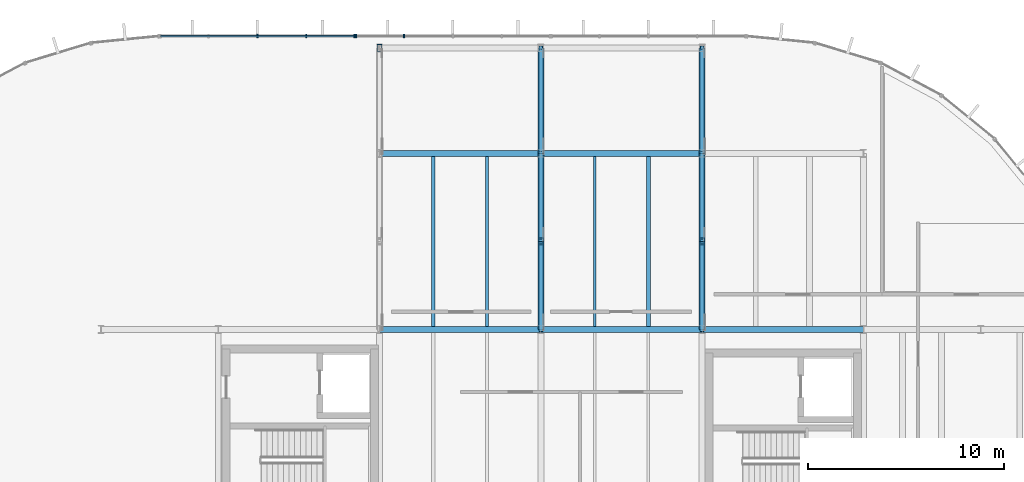
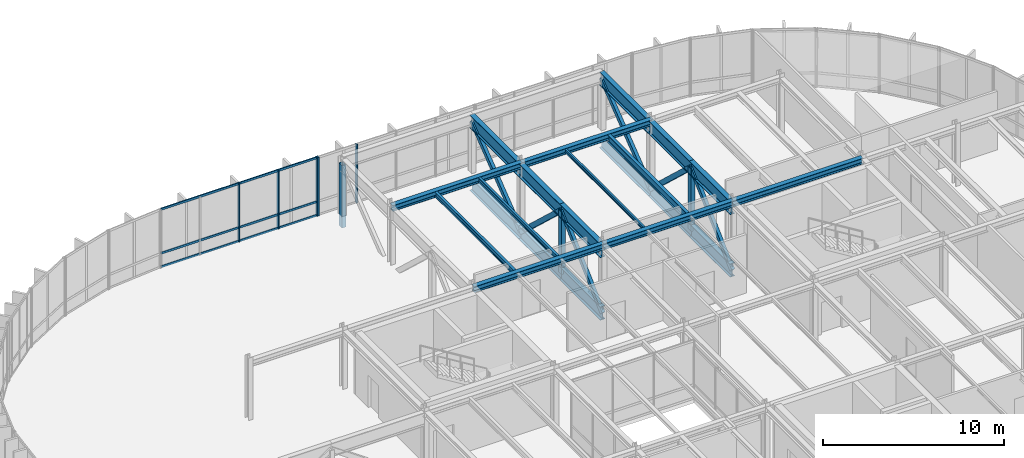
# One storey, part 12 of 29: 21 beams, 17 members, 2 elements without a shape of their own.
"""IFC4 building model written with IfcOpenShell, lengths in metres."""

from ifc_helpers import new_model, si_unit, direction, frame, origin, origin_2d, place, context, subcontext, project, spatial, rectangle, hollow_rectangle, i_section, extrude, material, layer, layer_set, material_profile, profile_set, type_object, element, aggregate, save


model = new_model("IFC4")

# Units and contexts
model_context = context("Model", 3, precision=1e-05, world=origin(), true_north=direction((0.0, 1.0)))
body_context = subcontext(model_context, "Body", "Model", "MODEL_VIEW")
ifc_project = project(units=[si_unit("LENGTHUNIT", "METRE"), si_unit("AREAUNIT", "SQUARE_METRE"), si_unit("VOLUMEUNIT", "CUBIC_METRE"), si_unit("PLANEANGLEUNIT", "RADIAN"), si_unit("MASSUNIT", "GRAM", prefix="KILO")], contexts=[model_context])

# Site, building, storey
site_placement = place(None, origin())
site = spatial("IfcSite", under=ifc_project, at=site_placement, CompositionType="ELEMENT")
building_placement = place(site_placement, origin())
building = spatial("IfcBuilding", under=site, at=building_placement, Name="Montealbar Specialist Clinic", CompositionType="ELEMENT")
storey_placement = place(building_placement, frame((0.0, 0.0, 22.199951171875)))
storey = spatial("IfcBuildingStorey", under=building, at=storey_placement, Name="L05", CompositionType="ELEMENT", Elevation=22.199951171875)

# Beams
ifc_material_1 = material(Name="Steel S355", Category="steel")
ifc_material_profile_1 = material_profile(ifc_material_1, i_section(OverallWidth=0.300048828125, OverallDepth=0.39990234375, WebThickness=0.013427734375, FlangeThickness=0.02392578125, FilletRadius=0.027099609375, at=origin_2d()), Name="HEB 400", Category="steel")
ifc_profile_set_1 = profile_set([ifc_material_profile_1], Name="Steel S355")
beam_type_1 = type_object("IfcBeamType", Name="BM-GIRD-HEB400", PredefinedType="BEAM", material=ifc_profile_set_1)
for number, where, z_axis, x_axis, name in (
    (1, (74.25, 36.0, 3.739990234375), (1.0, 0.0, 0.0), (0.0, 1.0, 0.0), "Beam GX-L05-742-825-360"),
    (2, (82.5, 36.0, 3.739990234375), (1.0, 0.0, 0.0), (0.0, 1.0, 0.0), "Beam GX-L05-825-908-360"),
    (3, (90.75, 36.0, 3.739990234375), (1.0, 0.0, 0.0), (0.0, 1.0, 0.0), "Beam GX-L05-908-990-360"),
    (4, (74.25, 45.0, 3.739990234375), (1.0, 0.0, 0.0), (0.0, 1.0, 0.0), "Beam GX-L05-742-825-450"),
    (5, (82.5, 45.0, 3.739990234375), (1.0, 0.0, 0.0), (0.0, 1.0, 0.0), "Beam GX-L05-825-908-450"),
):
    element("IfcBeam", number, at=place(storey_placement, frame(where, z_axis=z_axis, x_axis=x_axis)), inside=storey, type_object=beam_type_1, Name=name, PredefinedType="BEAM", context=body_context, shape_type="SweptSolid", body=[
        extrude(i_section(OverallWidth=0.300048828125, OverallDepth=0.39990234375, WebThickness=0.013427734375, FlangeThickness=0.02392578125, FilletRadius=0.027099609375, at=origin_2d()), origin(), (0.0, 0.0, 1.0), 8.25),
    ])
ifc_material_profile_2 = material_profile(ifc_material_1, i_section(OverallWidth=0.1201171875, OverallDepth=0.239990234375, WebThickness=0.006103515625, FlangeThickness=0.009765625, FilletRadius=0.014892578125, at=origin_2d()), Name="IPE 240", Category="steel")
ifc_profile_set_2 = profile_set([ifc_material_profile_2], Name="Steel S355")
beam_type_2 = type_object("IfcBeamType", Name="BM-JST-IPE240", PredefinedType="JOIST", material=ifc_profile_set_2)
beam_1_placement = place(storey_placement, frame((85.25, 36.14990234375, 3.820068359375), z_axis=(0.0, 1.0, 0.0), x_axis=(-1.0, 0.0, 0.0)))
element("IfcBeam", 6, at=beam_1_placement, inside=storey, type_object=beam_type_2, Name="Beam JST-L05-852-362-448", PredefinedType="JOIST", context=body_context, shape_type="SweptSolid", body=[
    extrude(i_section(OverallWidth=0.1201171875, OverallDepth=0.239990234375, WebThickness=0.006103515625, FlangeThickness=0.009765625, FilletRadius=0.014892578125, at=origin_2d()), origin(), (0.0, 0.0, 1.0), 8.7001953125),
])
ifc_material_profile_3 = material_profile(ifc_material_1, i_section(OverallWidth=0.14990234375, OverallDepth=0.300048828125, WebThickness=0.007080078125, FlangeThickness=0.0107421875, FilletRadius=0.014892578125, at=origin_2d()), Name="IPE 300", Category="steel")
ifc_profile_set_3 = profile_set([ifc_material_profile_3], Name="Steel S355")
beam_type_3 = type_object("IfcBeamType", Name="BM-JST-IPE300", PredefinedType="JOIST", material=ifc_profile_set_3)
beam_2_placement = place(storey_placement, frame((79.75, 36.14990234375, 3.7900390625), z_axis=(0.0, 1.0, 0.0), x_axis=(-1.0, 0.0, 0.0)))
element("IfcBeam", 7, at=beam_2_placement, inside=storey, type_object=beam_type_3, Name="Beam JST-L05-798-362-448", PredefinedType="JOIST", context=body_context, shape_type="SweptSolid", body=[
    extrude(i_section(OverallWidth=0.14990234375, OverallDepth=0.300048828125, WebThickness=0.007080078125, FlangeThickness=0.0107421875, FilletRadius=0.014892578125, at=origin_2d()), origin(), (0.0, 0.0, 1.0), 8.7001953125),
])
ifc_material_profile_4 = material_profile(ifc_material_1, i_section(OverallWidth=0.159912109375, OverallDepth=0.330078125, WebThickness=0.007568359375, FlangeThickness=0.011474609375, FilletRadius=0.01806640625, at=origin_2d()), Name="IPE 330", Category="steel")
ifc_profile_set_4 = profile_set([ifc_material_profile_4], Name="Steel S355")
beam_type_4 = type_object("IfcBeamType", Name="BM-JST-IPE330", PredefinedType="JOIST", material=ifc_profile_set_4)
beam_3_placement = place(storey_placement, frame((77.0, 36.14990234375, 3.775146484375), z_axis=(0.0, 1.0, 0.0), x_axis=(-1.0, 0.0, 0.0)))
element("IfcBeam", 8, at=beam_3_placement, inside=storey, type_object=beam_type_4, Name="Beam JST-L05-770-362-448", PredefinedType="JOIST", context=body_context, shape_type="SweptSolid", body=[
    extrude(i_section(OverallWidth=0.159912109375, OverallDepth=0.330078125, WebThickness=0.007568359375, FlangeThickness=0.011474609375, FilletRadius=0.01806640625, at=origin_2d()), origin(), (0.0, 0.0, 1.0), 8.7001953125),
])
ifc_material_profile_5 = material_profile(ifc_material_1, i_section(OverallWidth=0.199951171875, OverallDepth=0.5, WebThickness=0.01025390625, FlangeThickness=0.01611328125, FilletRadius=0.02099609375, at=origin_2d()), Name="IPE 500", Category="steel")
ifc_profile_set_5 = profile_set([ifc_material_profile_5], Name="Steel S355")
beam_type_5 = type_object("IfcBeamType", Name="BM-JST-IPE500", PredefinedType="JOIST", material=ifc_profile_set_5)
beam_4_placement = place(storey_placement, frame((88.0, 36.14990234375, 3.68994140625), z_axis=(0.0, 1.0, 0.0), x_axis=(-1.0, 0.0, 0.0)))
element("IfcBeam", 9, at=beam_4_placement, inside=storey, type_object=beam_type_5, Name="Beam JST-L05-880-362-448", PredefinedType="JOIST", context=body_context, shape_type="SweptSolid", body=[
    extrude(i_section(OverallWidth=0.199951171875, OverallDepth=0.5, WebThickness=0.01025390625, FlangeThickness=0.01611328125, FilletRadius=0.02099609375, at=origin_2d()), origin(), (0.0, 0.0, 1.0), 8.7001953125),
])
ifc_material_profile_6 = material_profile(ifc_material_1, i_section(OverallWidth=0.300048828125, OverallDepth=0.89990234375, WebThickness=0.0185546875, FlangeThickness=0.034912109375, FilletRadius=0.030029296875, at=origin_2d()), Name="HEB 900", Category="steel")
ifc_profile_set_6 = profile_set([ifc_material_profile_6], Name="Steel S355")
beam_type_6 = type_object("IfcBeamType", Name="BM-XFER-HEB900", PredefinedType="BEAM", material=ifc_profile_set_6)
for number, where, z_axis, x_axis, name in (
    (10, (82.5, 36.0, -0.7900390625), (0.0, 1.0, 0.0), (-1.0, 0.0, 0.0), "Transfer truss TT-N3 bottom chord 1"),
    (11, (82.5, 36.0, 3.41015625), (0.0, 1.0, 0.0), (-1.0, 0.0, 0.0), "Transfer truss TT-N3 top chord 1"),
    (12, (82.5, 40.5, -0.7900390625), (0.0, 1.0, 0.0), (-1.0, 0.0, 0.0), "Transfer truss TT-N3 bottom chord 2"),
    (13, (82.5, 40.5, 3.41015625), (0.0, 1.0, 0.0), (-1.0, 0.0, 0.0), "Transfer truss TT-N3 top chord 2"),
):
    element("IfcBeam", number, at=place(storey_placement, frame(where, z_axis=z_axis, x_axis=x_axis)), inside=storey, type_object=beam_type_6, Name=name, PredefinedType="BEAM", context=body_context, shape_type="SweptSolid", body=[
        extrude(i_section(OverallWidth=0.300048828125, OverallDepth=0.89990234375, WebThickness=0.0185546875, FlangeThickness=0.034912109375, FilletRadius=0.030029296875, at=origin_2d()), origin(), (0.0, 0.0, 1.0), 4.5),
    ])
for number, where, z_axis, x_axis, name in (
    (14, (82.5, 45.0, -0.7900390625), (0.0, 1.0, 0.0), (-1.0, 0.0, 0.0), "Transfer truss TT-N3 bottom chord 3"),
    (15, (82.5, 45.0, 3.41015625), (0.0, 1.0, 0.0), (-1.0, 0.0, 0.0), "Transfer truss TT-N3 top chord 3"),
):
    element("IfcBeam", number, at=place(storey_placement, frame(where, z_axis=z_axis, x_axis=x_axis)), inside=storey, type_object=beam_type_6, Name=name, PredefinedType="BEAM", context=body_context, shape_type="SweptSolid", body=[
        extrude(i_section(OverallWidth=0.300048828125, OverallDepth=0.89990234375, WebThickness=0.0185546875, FlangeThickness=0.034912109375, FilletRadius=0.030029296875, at=origin_2d()), origin(), (0.0, 0.0, 1.0), 5.39990234375),
    ])
for number, where, z_axis, x_axis, name in (
    (16, (90.75, 36.0, -0.7900390625), (0.0, 1.0, 0.0), (-1.0, 0.0, 0.0), "Transfer truss TT-N4 bottom chord 1"),
    (17, (90.75, 36.0, 3.41015625), (0.0, 1.0, 0.0), (-1.0, 0.0, 0.0), "Transfer truss TT-N4 top chord 1"),
    (18, (90.75, 40.5, -0.7900390625), (0.0, 1.0, 0.0), (-1.0, 0.0, 0.0), "Transfer truss TT-N4 bottom chord 2"),
    (19, (90.75, 40.5, 3.41015625), (0.0, 1.0, 0.0), (-1.0, 0.0, 0.0), "Transfer truss TT-N4 top chord 2"),
):
    element("IfcBeam", number, at=place(storey_placement, frame(where, z_axis=z_axis, x_axis=x_axis)), inside=storey, type_object=beam_type_6, Name=name, PredefinedType="BEAM", context=body_context, shape_type="SweptSolid", body=[
        extrude(i_section(OverallWidth=0.300048828125, OverallDepth=0.89990234375, WebThickness=0.0185546875, FlangeThickness=0.034912109375, FilletRadius=0.030029296875, at=origin_2d()), origin(), (0.0, 0.0, 1.0), 4.5),
    ])
for number, where, z_axis, x_axis, name in (
    (20, (90.75, 45.0, -0.7900390625), (0.0, 1.0, 0.0), (-1.0, 0.0, 0.0), "Transfer truss TT-N4 bottom chord 3"),
    (21, (90.75, 45.0, 3.41015625), (0.0, 1.0, 0.0), (-1.0, 0.0, 0.0), "Transfer truss TT-N4 top chord 3"),
):
    element("IfcBeam", number, at=place(storey_placement, frame(where, z_axis=z_axis, x_axis=x_axis)), inside=storey, type_object=beam_type_6, Name=name, PredefinedType="BEAM", context=body_context, shape_type="SweptSolid", body=[
        extrude(i_section(OverallWidth=0.300048828125, OverallDepth=0.89990234375, WebThickness=0.0185546875, FlangeThickness=0.034912109375, FilletRadius=0.030029296875, at=origin_2d()), origin(), (0.0, 0.0, 1.0), 5.39990234375),
    ])

# Curtain wall, members
ifc_material_2 = material(Name="Low-E double glazing", Category="glass")
ifc_layer = layer(ifc_material_2, 0.199951171875, Name="Low-E double glazing", Category="glass")
ifc_layer_set = layer_set([ifc_layer], Name="Low-E double glazing")
curtain_wall_type = type_object("IfcCurtainWallType", Name="CW-TYPE-38", PredefinedType="NOTDEFINED", material=ifc_layer_set)
curtain_wall_1_placement = place(storey_placement, origin())
curtain_wall_1 = element("IfcCurtainWall", 22, at=curtain_wall_1_placement, inside=storey, type_object=curtain_wall_type, Name="Unitised Curtain Wall CW-L05-630-510-730-510-222", PredefinedType="NOTDEFINED")
ifc_material_3 = material(Name="Anodised aluminium EN AW-6063", Category="aluminium")
ifc_material_profile_7 = material_profile(ifc_material_3, rectangle(XDim=0.070068359375, YDim=0.179931640625, at=origin_2d()), Name="ALU 70x180", Category="aluminium")
ifc_profile_set_7 = profile_set([ifc_material_profile_7], Name="Anodised aluminium EN AW-6063")
member_type_1 = type_object("IfcMemberType", Name="CW-MUL-200", PredefinedType="MULLION", material=ifc_profile_set_7)
member_1_placement = place(storey_placement, frame((68.0, 51.0, 0.0), z_axis=(0.0, 0.0, 1.0), x_axis=(1.0, 0.0, 0.0)))
member_1 = element("IfcMember", 23, at=member_1_placement, type_object=member_type_1, Name="Curtain Wall Mullion CW-L05-630-510-730-510-222-02", PredefinedType="MULLION", context=body_context, shape_type="SweptSolid", body=[
    extrude(rectangle(XDim=0.070068359375, YDim=0.179931640625, at=origin_2d()), origin(), (0.0, 0.0, 1.0), 3.93994140625),
])
member_2_placement = place(storey_placement, frame((70.5, 51.0, 0.0), z_axis=(0.0, 0.0, 1.0), x_axis=(1.0, 0.0, 0.0)))
member_2 = element("IfcMember", 24, at=member_2_placement, type_object=member_type_1, Name="Curtain Wall Mullion CW-L05-630-510-730-510-222-03", PredefinedType="MULLION", context=body_context, shape_type="SweptSolid", body=[
    extrude(rectangle(XDim=0.070068359375, YDim=0.179931640625, at=origin_2d()), origin(), (0.0, 0.0, 1.0), 3.93994140625),
])
member_3_placement = place(storey_placement, frame((72.9599609375, 51.0, 0.0), z_axis=(0.0, 0.0, 1.0), x_axis=(1.0, 0.0, 0.0)))
member_3 = element("IfcMember", 25, at=member_3_placement, type_object=member_type_1, Name="Curtain Wall Mullion CW-L05-630-510-730-510-222-04", PredefinedType="MULLION", context=body_context, shape_type="SweptSolid", body=[
    extrude(rectangle(XDim=0.070068359375, YDim=0.179931640625, at=origin_2d()), origin(), (0.0, 0.0, 1.0), 3.93994140625),
])

curtain_wall_2_placement = place(storey_placement, origin())
curtain_wall_2 = element("IfcCurtainWall", 26, at=curtain_wall_2_placement, inside=storey, type_object=curtain_wall_type, Name="Unitised Curtain Wall CW-L05-730-510-830-510-222", PredefinedType="NOTDEFINED")
member_4_placement = place(storey_placement, frame((73.0400390625, 51.0, 0.0), z_axis=(0.0, 0.0, 1.0), x_axis=(1.0, 0.0, 0.0)))
member_4 = element("IfcMember", 27, at=member_4_placement, type_object=member_type_1, Name="Curtain Wall Mullion CW-L05-730-510-830-510-222-00", PredefinedType="MULLION", context=body_context, shape_type="SweptSolid", body=[
    extrude(rectangle(XDim=0.070068359375, YDim=0.179931640625, at=origin_2d()), origin(), (0.0, 0.0, 1.0), 3.93994140625),
])
member_5_placement = place(storey_placement, frame((75.5, 51.0, 0.0), z_axis=(0.0, 0.0, 1.0), x_axis=(1.0, 0.0, 0.0)))
member_5 = element("IfcMember", 28, at=member_5_placement, type_object=member_type_1, Name="Curtain Wall Mullion CW-L05-730-510-830-510-222-01", PredefinedType="MULLION", context=body_context, shape_type="SweptSolid", body=[
    extrude(rectangle(XDim=0.070068359375, YDim=0.179931640625, at=origin_2d()), origin(), (0.0, 0.0, 1.0), 3.93994140625),
])
aggregate(curtain_wall_2, [member_4, member_5])

# Member
ifc_material_4 = material(Name="Powder-coated aluminium", Category="aluminium")
ifc_material_profile_8 = material_profile(ifc_material_4, rectangle(XDim=0.070068359375, YDim=0.139892578125, at=origin_2d()), Name="ALU 70x140", Category="aluminium")
ifc_profile_set_8 = profile_set([ifc_material_profile_8], Name="Powder-coated aluminium")
member_type_2 = type_object("IfcMemberType", Name="CW-TRN-140", PredefinedType="USERDEFINED", material=ifc_profile_set_8)
member_6_placement = place(storey_placement, frame((63.050048828125, 51.0, 0.0400390625), z_axis=(1.0, 0.0, 0.0), x_axis=(0.0, 1.0, 0.0)))
member_6 = element("IfcMember", 29, at=member_6_placement, type_object=member_type_2, Name="Curtain Wall Transom CW-L05-630-510-730-510-222-00", ObjectType="TRANSOM", PredefinedType="USERDEFINED", context=body_context, shape_type="SweptSolid", body=[
    extrude(rectangle(XDim=0.070068359375, YDim=0.139892578125, at=origin_2d()), origin(), (0.0, 0.0, 1.0), 9.89990234375),
])

member_7_placement = place(storey_placement, frame((63.050048828125, 51.0, 0.949951171875), z_axis=(1.0, 0.0, 0.0), x_axis=(0.0, 1.0, 0.0)))
member_7 = element("IfcMember", 30, at=member_7_placement, type_object=member_type_2, Name="Curtain Wall Transom CW-L05-630-510-730-510-222-01", ObjectType="TRANSOM", PredefinedType="USERDEFINED", context=body_context, shape_type="SweptSolid", body=[
    extrude(rectangle(XDim=0.070068359375, YDim=0.139892578125, at=origin_2d()), origin(), (0.0, 0.0, 1.0), 9.89990234375),
])

member_8_placement = place(storey_placement, frame((63.050048828125, 51.0, 3.900146484375), z_axis=(1.0, 0.0, 0.0), x_axis=(0.0, 1.0, 0.0)))
member_8 = element("IfcMember", 31, at=member_8_placement, type_object=member_type_2, Name="Curtain Wall Transom CW-L05-630-510-730-510-222-02", ObjectType="TRANSOM", PredefinedType="USERDEFINED", context=body_context, shape_type="SweptSolid", body=[
    extrude(rectangle(XDim=0.070068359375, YDim=0.139892578125, at=origin_2d()), origin(), (0.0, 0.0, 1.0), 9.89990234375),
])

aggregate(curtain_wall_1, [member_1, member_2, member_3, member_6, member_7, member_8])

# Members
ifc_material_profile_9 = material_profile(ifc_material_1, hollow_rectangle(XDim=0.199951171875, YDim=0.300048828125, WallThickness=0.012451171875, at=origin_2d()), Name="RHS 300x200x12.5", Category="steel")
ifc_profile_set_9 = profile_set([ifc_material_profile_9], Name="Steel S355")
member_type_3 = type_object("IfcMemberType", Name="MB-TRUSS-DIAG", PredefinedType="BRACE", material=ifc_profile_set_9)
for number, where, z_axis, x_axis, name in (
    (32, (82.5, 36.0, -0.7900390625), (0.0, 0.731039441158, 0.682335207557), (-1.0, 0.0, 0.0), "Transfer truss TT-N3 web diagonal 1"),
    (33, (82.5, 40.5, 3.41015625), (0.0, 0.731039441158, -0.682335207557), (-1.0, 0.0, 0.0), "Transfer truss TT-N3 web diagonal 2"),
):
    element("IfcMember", number, at=place(storey_placement, frame(where, z_axis=z_axis, x_axis=x_axis)), inside=storey, type_object=member_type_3, Name=name, PredefinedType="BRACE", context=body_context, shape_type="SweptSolid", body=[
        extrude(hollow_rectangle(XDim=0.199951171875, YDim=0.300048828125, WallThickness=0.012451171875, at=origin_2d()), origin(), (0.0, 0.0, 1.0), 6.155517578125),
    ])
member_9_placement = place(storey_placement, frame((82.5, 45.0, -0.7900390625), z_axis=(0.0, 0.78933300072, 0.613965319847), x_axis=(-1.0, 0.0, 0.0)))
element("IfcMember", 34, at=member_9_placement, inside=storey, type_object=member_type_3, Name="Transfer truss TT-N3 web diagonal 3", PredefinedType="BRACE", context=body_context, shape_type="SweptSolid", body=[
    extrude(hollow_rectangle(XDim=0.199951171875, YDim=0.300048828125, WallThickness=0.012451171875, at=origin_2d()), origin(), (0.0, 0.0, 1.0), 6.841064453125),
])
for number, where, z_axis, x_axis, name in (
    (35, (90.75, 36.0, -0.7900390625), (0.0, 0.731039441158, 0.682335207557), (-1.0, 0.0, 0.0), "Transfer truss TT-N4 web diagonal 1"),
    (36, (90.75, 40.5, 3.41015625), (0.0, 0.731039441158, -0.682335207557), (-1.0, 0.0, 0.0), "Transfer truss TT-N4 web diagonal 2"),
):
    element("IfcMember", number, at=place(storey_placement, frame(where, z_axis=z_axis, x_axis=x_axis)), inside=storey, type_object=member_type_3, Name=name, PredefinedType="BRACE", context=body_context, shape_type="SweptSolid", body=[
        extrude(hollow_rectangle(XDim=0.199951171875, YDim=0.300048828125, WallThickness=0.012451171875, at=origin_2d()), origin(), (0.0, 0.0, 1.0), 6.155517578125),
    ])
member_10_placement = place(storey_placement, frame((90.75, 45.0, -0.7900390625), z_axis=(0.0, 0.78933300072, 0.613965319847), x_axis=(-1.0, 0.0, 0.0)))
element("IfcMember", 37, at=member_10_placement, inside=storey, type_object=member_type_3, Name="Transfer truss TT-N4 web diagonal 3", PredefinedType="BRACE", context=body_context, shape_type="SweptSolid", body=[
    extrude(hollow_rectangle(XDim=0.199951171875, YDim=0.300048828125, WallThickness=0.012451171875, at=origin_2d()), origin(), (0.0, 0.0, 1.0), 6.841064453125),
])
ifc_material_profile_10 = material_profile(ifc_material_1, hollow_rectangle(XDim=0.25, YDim=0.35009765625, WallThickness=0.012451171875, at=origin_2d()), Name="RHS 350x250x12.5", Category="steel")
ifc_profile_set_10 = profile_set([ifc_material_profile_10], Name="Steel S355")
member_type_4 = type_object("IfcMemberType", Name="MB-TRUSS-POST", PredefinedType="BRACE", material=ifc_profile_set_10)
for number, where, z_axis, x_axis, name in (
    (38, (74.25, 50.39990234375, -0.7900390625), (0.0, 0.0, 1.0), (1.0, 0.0, 0.0), "Transfer truss TT-N2 vertical post 3"),
    (39, (82.5, 40.5, -0.7900390625), (0.0, 0.0, 1.0), (1.0, 0.0, 0.0), "Transfer truss TT-N3 vertical post 1"),
    (40, (90.75, 40.5, -0.7900390625), (0.0, 0.0, 1.0), (1.0, 0.0, 0.0), "Transfer truss TT-N4 vertical post 1"),
):
    element("IfcMember", number, at=place(storey_placement, frame(where, z_axis=z_axis, x_axis=x_axis)), inside=storey, type_object=member_type_4, Name=name, PredefinedType="BRACE", context=body_context, shape_type="SweptSolid", body=[
        extrude(hollow_rectangle(XDim=0.25, YDim=0.35009765625, WallThickness=0.012451171875, at=origin_2d()), origin(), (0.0, 0.0, 1.0), 4.2001953125),
    ])

save(model, "model.ifc")
